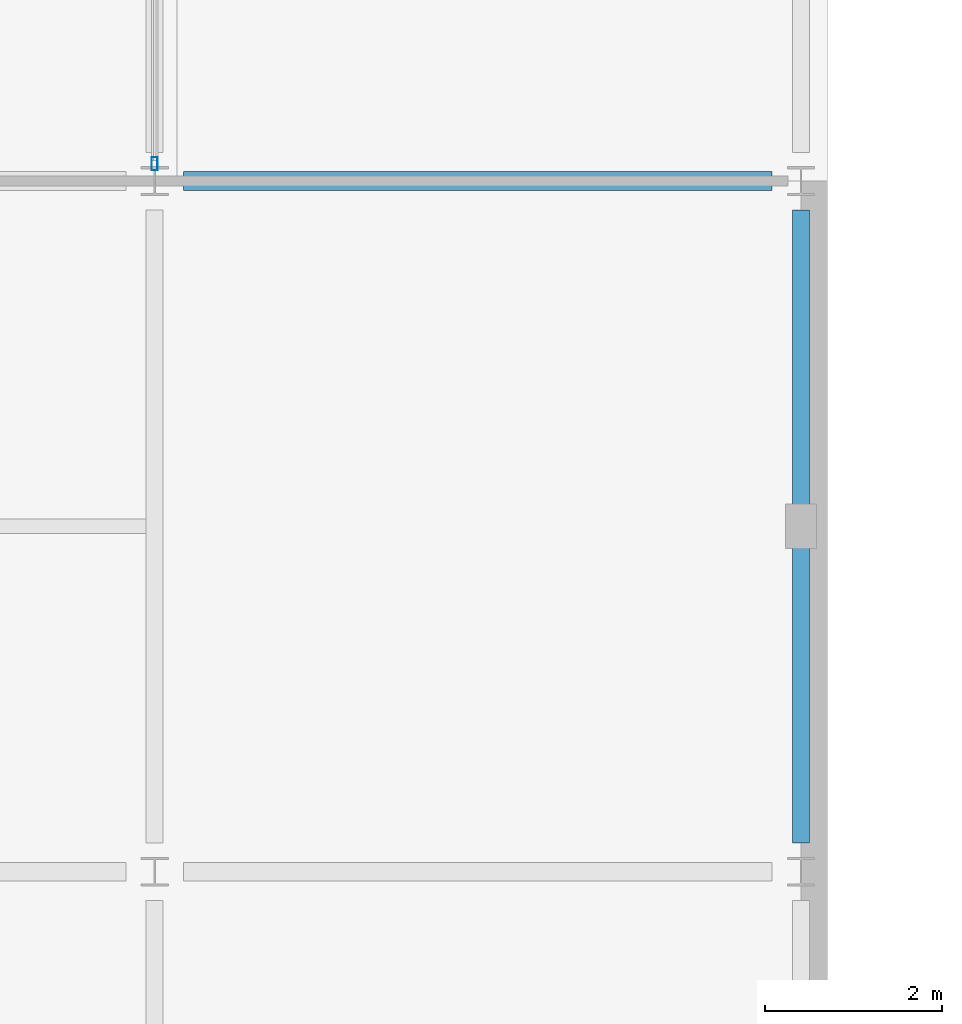
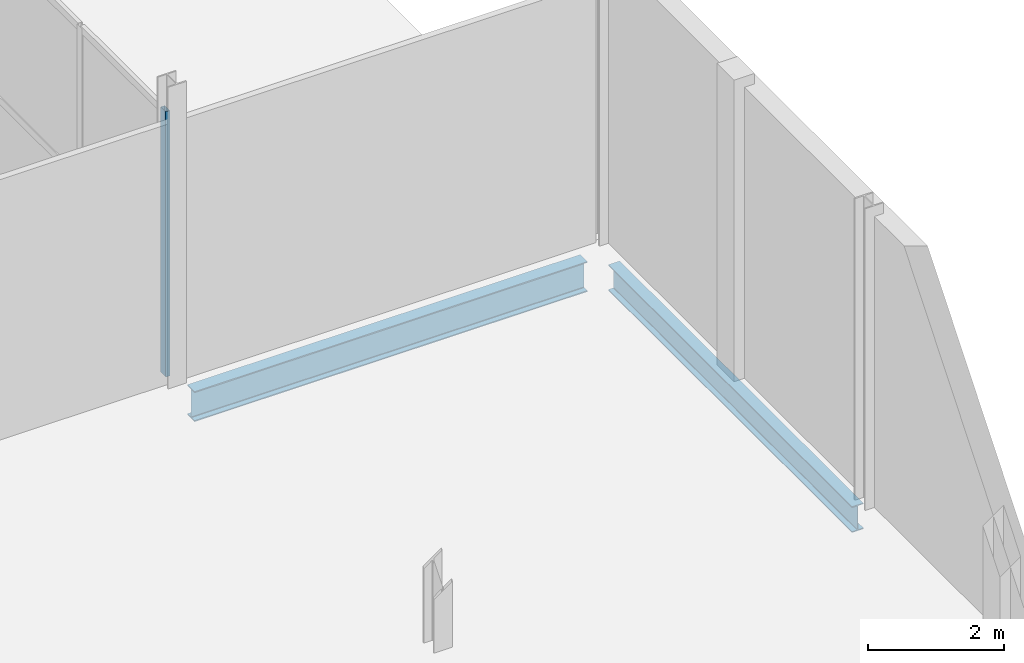
# One storey, part 13 of 83: 2 beams, 1 member, 1 element without a shape of its own.
"""IFC4 building model written with IfcOpenShell, lengths in metres."""

from ifc_helpers import new_model, si_unit, direction, frame, origin, origin_2d, place, context, subcontext, project, spatial, hollow_rectangle, i_section, extrude, material, layer, layer_set, material_profile, profile_set, type_object, element, aggregate, save


model = new_model("IFC4")

# Units and contexts
model_context = context("Model", 3, precision=1e-05, world=origin(), true_north=direction((0.0, 1.0)))
body_context = subcontext(model_context, "Body", "Model", "MODEL_VIEW")
ifc_project = project(units=[si_unit("LENGTHUNIT", "METRE"), si_unit("AREAUNIT", "SQUARE_METRE"), si_unit("VOLUMEUNIT", "CUBIC_METRE"), si_unit("PLANEANGLEUNIT", "RADIAN"), si_unit("MASSUNIT", "GRAM", prefix="KILO")], contexts=[model_context])

# Site, building, storey
site_placement = place(None, origin())
site = spatial("IfcSite", under=ifc_project, at=site_placement, CompositionType="ELEMENT")
building_placement = place(site_placement, origin())
building = spatial("IfcBuilding", under=site, at=building_placement, Name="Quillay Park Conservatory", CompositionType="ELEMENT")
storey_placement = place(building_placement, origin())
storey = spatial("IfcBuildingStorey", under=building, at=storey_placement, Name="L00", CompositionType="ELEMENT", Elevation=0.0)

# Curtain wall, member
ifc_material_1 = material(Name="Thermally Broken Anodised Aluminium 6063-T6", Category="aluminium")
ifc_layer = layer(ifc_material_1, 0.1650390625)
ifc_layer_set = layer_set([ifc_layer], Name="UNITISED CURTAIN WALL PODIUM (Thermally Broken Anodised Aluminium 6063-T6)")
curtain_wall_type = type_object("IfcCurtainWallType", Name="UNITISED CURTAIN WALL PODIUM", PredefinedType="USERDEFINED", material=ifc_layer_set)
curtain_wall_placement = place(storey_placement, origin())
curtain_wall = element("IfcCurtainWall", 1, at=curtain_wall_placement, inside=storey, type_object=curtain_wall_type, Name="L00 Unitised Curtain Wall 196", ObjectType="UNITISED CURTAIN WALL", PredefinedType="USERDEFINED")
ifc_material_2 = material(Name="Thermally Broken Anodised Aluminium 6063-T6", Category="aluminium")
ifc_material_profile_1 = material_profile(ifc_material_2, hollow_rectangle(XDim=0.070068359375, YDim=0.14990234375, WallThickness=0.00341796875, at=origin_2d()), Name="AL70x150x3.5")
ifc_profile_set_1 = profile_set([ifc_material_profile_1], Name="Thermally Broken Anodised Aluminium 6063-T6")
member_type = type_object("IfcMemberType", Name="CURTAIN WALL MULLION 70 X150", PredefinedType="MULLION", material=ifc_profile_set_1)
member_placement = place(storey_placement, frame((22.14990234375, 15.794921875, 0.0), z_axis=(0.0, 0.0, 1.0), x_axis=(1.0, 0.0, 0.0)))
member = element("IfcMember", 2, at=member_placement, type_object=member_type, Name="CW-P1 mullion 4", PredefinedType="MULLION", context=body_context, shape_type="SweptSolid", body=[
    extrude(hollow_rectangle(XDim=0.070068359375, YDim=0.14990234375, WallThickness=0.00341796875, at=origin_2d()), origin(), (0.0, 0.0, 1.0), 4.7490234375),
])
aggregate(curtain_wall, [member])

# Beams
ifc_material_3 = material(Name="Steel ASTM A992 Grade 50", Category="steel")
ifc_material_profile_2 = material_profile(ifc_material_3, i_section(OverallWidth=0.19189453125, OverallDepth=0.462890625, WebThickness=0.010498046875, FlangeThickness=0.017578125, FilletRadius=0.012939453125, at=origin_2d()), Name="W460x89")
ifc_profile_set_2 = profile_set([ifc_material_profile_2], Name="Steel ASTM A992 Grade 50")
beam_type_1 = type_object("IfcBeamType", Name="PRIMARY FLOOR GIRDER W460 X89", PredefinedType="BEAM", material=ifc_profile_set_2)
beam_1_placement = place(storey_placement, frame((29.449951171875, 8.125, -0.4814453125), z_axis=(0.0, 1.0, 0.0), x_axis=(-1.0, 0.0, 0.0)))
element("IfcBeam", 3, at=beam_1_placement, inside=storey, type_object=beam_type_1, Name="L00 beam BM-V3Y-1237", PredefinedType="BEAM", context=body_context, shape_type="SweptSolid", body=[
    extrude(i_section(OverallWidth=0.19189453125, OverallDepth=0.462890625, WebThickness=0.010498046875, FlangeThickness=0.017578125, FilletRadius=0.012939453125, at=origin_2d()), origin(), (0.0, 0.0, 1.0), 7.14990234375),
])
ifc_material_4 = material(Name="Steel ASTM A992 Grade 50", Category="steel")
ifc_material_profile_3 = material_profile(ifc_material_4, i_section(OverallWidth=0.2109375, OverallDepth=0.5390625, WebThickness=0.01171875, FlangeThickness=0.018798828125, FilletRadius=0.013916015625, at=origin_2d()), Name="W530x109")
ifc_profile_set_3 = profile_set([ifc_material_profile_3], Name="Steel ASTM A992 Grade 50")
beam_type_2 = type_object("IfcBeamType", Name="PRIMARY FLOOR GIRDER W530 X109", PredefinedType="BEAM", material=ifc_profile_set_3)
beam_2_placement = place(storey_placement, frame((22.47509765625, 15.60009765625, -0.51953125), z_axis=(1.0, 0.0, 0.0), x_axis=(0.0, 1.0, 0.0)))
element("IfcBeam", 4, at=beam_2_placement, inside=storey, type_object=beam_type_2, Name="L00 beam BM-V3X-1189", PredefinedType="BEAM", context=body_context, shape_type="SweptSolid", body=[
    extrude(i_section(OverallWidth=0.2109375, OverallDepth=0.5390625, WebThickness=0.01171875, FlangeThickness=0.018798828125, FilletRadius=0.013916015625, at=origin_2d()), origin(), (0.0, 0.0, 1.0), 6.64990234375),
])

save(model, "model.ifc")
